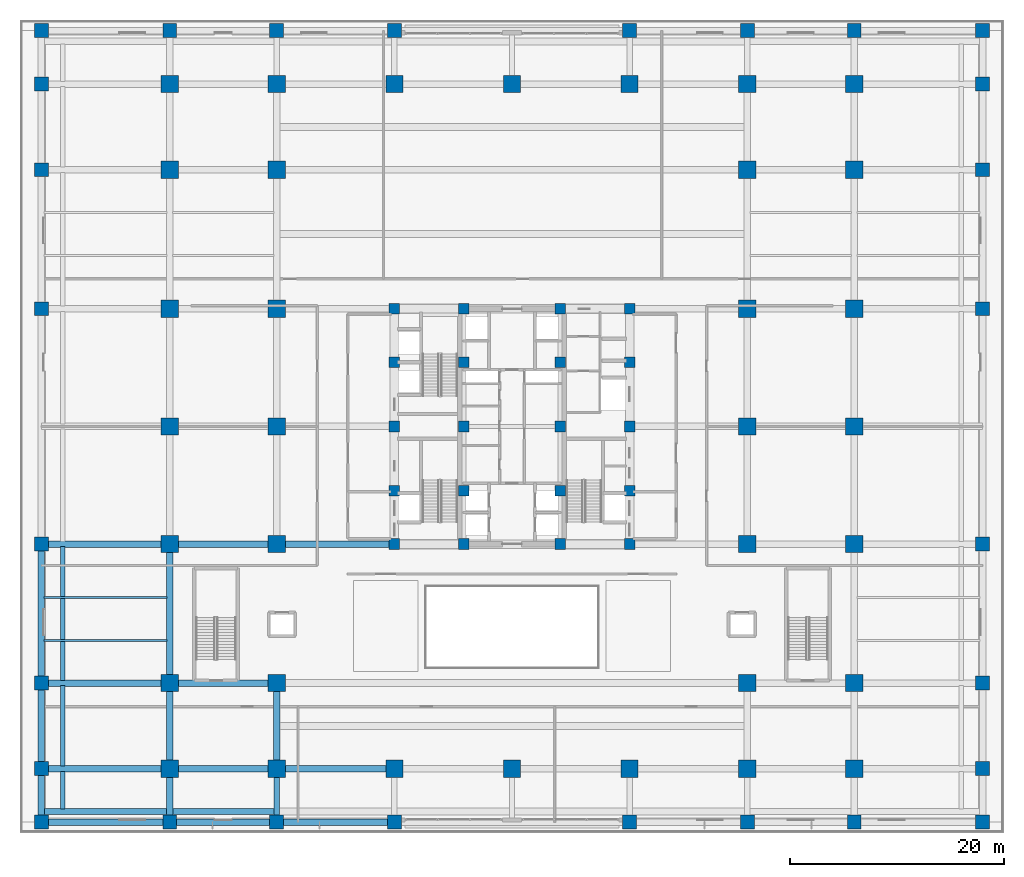
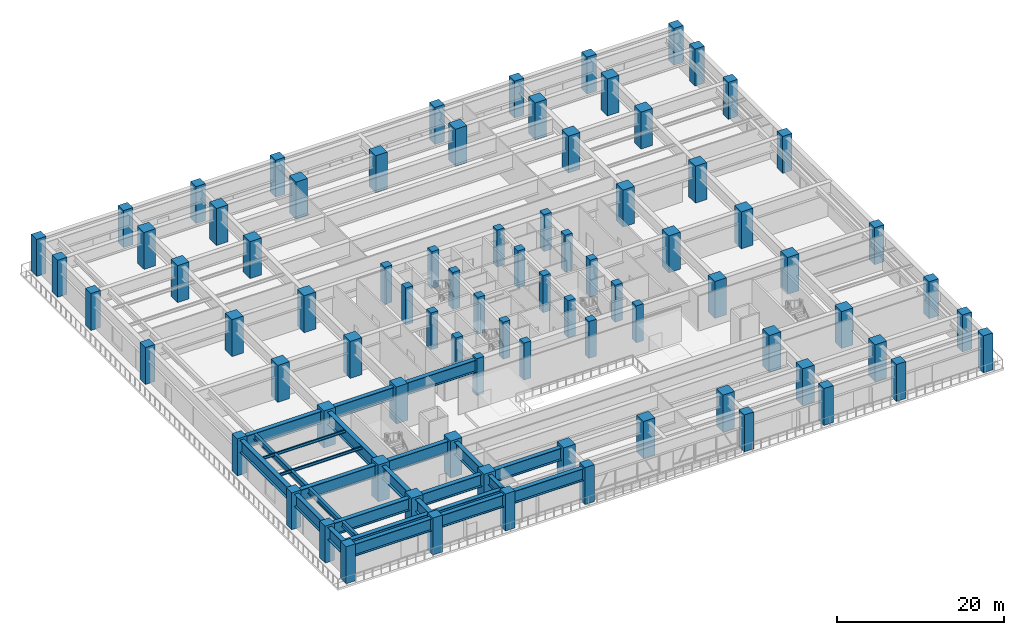
# One storey, part 1 of 28: 82 columns, 26 beams.
"""IFC4 building model written with IfcOpenShell, lengths in metres."""

from ifc_helpers import new_model, si_unit, direction, frame, origin, origin_2d, place, context, subcontext, project, spatial, rectangle, i_section, extrude, source, transform, mapped, material, material_profile, profile_set, type_object, element, save


model = new_model("IFC4")

# Units and contexts
model_context = context("Model", 3, precision=1e-05, world=origin(), true_north=direction((0.0, 1.0)))
body_context = subcontext(model_context, "Body", "Model", "MODEL_VIEW")
ifc_project = project(units=[si_unit("LENGTHUNIT", "METRE"), si_unit("AREAUNIT", "SQUARE_METRE"), si_unit("VOLUMEUNIT", "CUBIC_METRE"), si_unit("PLANEANGLEUNIT", "RADIAN"), si_unit("MASSUNIT", "GRAM", prefix="KILO")], contexts=[model_context])

# Site, building, storey
site_placement = place(None, origin())
site = spatial("IfcSite", under=ifc_project, at=site_placement, CompositionType="ELEMENT")
building_placement = place(site_placement, origin())
building = spatial("IfcBuilding", under=site, at=building_placement, Name="Khorayat Bourse Tower", CompositionType="ELEMENT")
storey_placement = place(building_placement, frame((0.0, 0.0, 6.60009765625)))
storey = spatial("IfcBuildingStorey", under=building, at=storey_placement, Name="L01", CompositionType="ELEMENT", Elevation=6.60009765625)

# Columns
ifc_material_1 = material(Name="Concrete C72/90", Category="concrete")
ifc_material_profile_1 = material_profile(ifc_material_1, rectangle(XDim=1.300048828125, YDim=1.300048828125, at=origin_2d()), Name="RC 1300x1300")
ifc_profile_set_1 = profile_set([ifc_material_profile_1], Name="Concrete C72/90")
column_type_1 = type_object("IfcColumnType", Name="COL-MEGA-1300", PredefinedType="COLUMN", material=ifc_profile_set_1)
shared_shape_1 = source(origin(), body_context, "Body", "SweptSolid", [
    extrude(rectangle(XDim=1.300048828125, YDim=1.300048828125, at=origin_2d()), origin(), (0.0, 0.0, 1.0), 5.39990234375),
])
for number, where, z_axis, x_axis, name in (
    (1, (-44.0, -37.0, 0.0), (0.0, 0.0, 1.0), (1.0, 0.0, 0.0), "L01 Column 001"),
    (2, (-44.0, -24.0, 0.0), (0.0, 0.0, 1.0), (1.0, 0.0, 0.0), "L01 Column 002"),
    (3, (-44.0, -11.0, 0.0), (0.0, 0.0, 1.0), (1.0, 0.0, 0.0), "L01 Column 003"),
    (4, (-44.0, 11.0, 0.0), (0.0, 0.0, 1.0), (1.0, 0.0, 0.0), "L01 Column 004"),
    (5, (-44.0, 24.0, 0.0), (0.0, 0.0, 1.0), (1.0, 0.0, 0.0), "L01 Column 005"),
    (6, (-44.0, 37.0, 0.0), (0.0, 0.0, 1.0), (1.0, 0.0, 0.0), "L01 Column 006"),
    (7, (-32.0, -37.0, 0.0), (0.0, 0.0, 1.0), (1.0, 0.0, 0.0), "L01 Column 007"),
    (8, (-32.0, 37.0, 0.0), (0.0, 0.0, 1.0), (1.0, 0.0, 0.0), "L01 Column 015"),
    (9, (-22.0, -37.0, 0.0), (0.0, 0.0, 1.0), (1.0, 0.0, 0.0), "L01 Column 016"),
    (10, (-22.0, 37.0, 0.0), (0.0, 0.0, 1.0), (1.0, 0.0, 0.0), "L01 Column 024"),
    (11, (-11.0, -37.0, 0.0), (0.0, 0.0, 1.0), (1.0, 0.0, 0.0), "L01 Column 025"),
    (12, (-11.0, 37.0, 0.0), (0.0, 0.0, 1.0), (1.0, 0.0, 0.0), "L01 Column 033"),
    (13, (11.0, -37.0, 0.0), (0.0, 0.0, 1.0), (1.0, 0.0, 0.0), "L01 Column 046"),
    (14, (11.0, 37.0, 0.0), (0.0, 0.0, 1.0), (1.0, 0.0, 0.0), "L01 Column 054"),
    (15, (22.0, -37.0, 0.0), (0.0, 0.0, 1.0), (1.0, 0.0, 0.0), "L01 Column 055"),
    (16, (22.0, 37.0, 0.0), (0.0, 0.0, 1.0), (1.0, 0.0, 0.0), "L01 Column 063"),
    (17, (32.0, -37.0, 0.0), (0.0, 0.0, 1.0), (1.0, 0.0, 0.0), "L01 Column 064"),
    (18, (32.0, 37.0, 0.0), (0.0, 0.0, 1.0), (1.0, 0.0, 0.0), "L01 Column 072"),
    (19, (44.0, -37.0, 0.0), (0.0, 0.0, 1.0), (1.0, 0.0, 0.0), "L01 Column 073"),
    (20, (44.0, -24.0, 0.0), (0.0, 0.0, 1.0), (1.0, 0.0, 0.0), "L01 Column 074"),
    (21, (44.0, -11.0, 0.0), (0.0, 0.0, 1.0), (1.0, 0.0, 0.0), "L01 Column 075"),
    (22, (44.0, 11.0, 0.0), (0.0, 0.0, 1.0), (1.0, 0.0, 0.0), "L01 Column 076"),
    (23, (44.0, 24.0, 0.0), (0.0, 0.0, 1.0), (1.0, 0.0, 0.0), "L01 Column 077"),
    (24, (44.0, 37.0, 0.0), (0.0, 0.0, 1.0), (1.0, 0.0, 0.0), "L01 Column 078"),
    (25, (-44.0, -32.0, 0.0), (0.0, 0.0, 1.0), (1.0, 0.0, 0.0), "L01 Perimeter Step Column 1"),
    (26, (-44.0, 32.0, 0.0), (0.0, 0.0, 1.0), (1.0, 0.0, 0.0), "L01 Perimeter Step Column 2"),
    (27, (44.0, -32.0, 0.0), (0.0, 0.0, 1.0), (1.0, 0.0, 0.0), "L01 Perimeter Step Column 3"),
    (28, (44.0, 32.0, 0.0), (0.0, 0.0, 1.0), (1.0, 0.0, 0.0), "L01 Perimeter Step Column 4"),
):
    element("IfcColumn", number, at=place(storey_placement, frame(where, z_axis=z_axis, x_axis=x_axis)), inside=storey, type_object=column_type_1, Name=name, PredefinedType="COLUMN", context=body_context, shape_type="MappedRepresentation", body=[
        mapped(shared_shape_1, transform((0.0, 0.0, 0.0), scale=1.0)),
    ])
ifc_material_profile_2 = material_profile(ifc_material_1, rectangle(XDim=1.60009765625, YDim=1.60009765625, at=origin_2d()), Name="RC 1600x1600")
ifc_profile_set_2 = profile_set([ifc_material_profile_2], Name="Concrete C72/90")
column_type_2 = type_object("IfcColumnType", Name="COL-MEGA-1600", PredefinedType="COLUMN", material=ifc_profile_set_2)
shared_shape_2 = source(origin(), body_context, "Body", "SweptSolid", [
    extrude(rectangle(XDim=1.60009765625, YDim=1.60009765625, at=origin_2d()), origin(), (0.0, 0.0, 1.0), 5.39990234375),
])
for number, where, z_axis, x_axis, name in (
    (29, (-32.0, -32.0, 0.0), (0.0, 0.0, 1.0), (1.0, 0.0, 0.0), "L01 Column 008"),
    (30, (-32.0, -24.0, 0.0), (0.0, 0.0, 1.0), (1.0, 0.0, 0.0), "L01 Column 009"),
    (31, (-32.0, -11.0, 0.0), (0.0, 0.0, 1.0), (1.0, 0.0, 0.0), "L01 Column 010"),
    (32, (-32.0, 0.0, 0.0), (0.0, 0.0, 1.0), (1.0, 0.0, 0.0), "L01 Column 011"),
    (33, (-32.0, 11.0, 0.0), (0.0, 0.0, 1.0), (1.0, 0.0, 0.0), "L01 Column 012"),
    (34, (-32.0, 24.0, 0.0), (0.0, 0.0, 1.0), (1.0, 0.0, 0.0), "L01 Column 013"),
    (35, (-32.0, 32.0, 0.0), (0.0, 0.0, 1.0), (1.0, 0.0, 0.0), "L01 Column 014"),
    (36, (-22.0, -32.0, 0.0), (0.0, 0.0, 1.0), (1.0, 0.0, 0.0), "L01 Column 017"),
    (37, (-22.0, -24.0, 0.0), (0.0, 0.0, 1.0), (1.0, 0.0, 0.0), "L01 Column 018"),
    (38, (-22.0, -11.0, 0.0), (0.0, 0.0, 1.0), (1.0, 0.0, 0.0), "L01 Column 019"),
    (39, (-22.0, 0.0, 0.0), (0.0, 0.0, 1.0), (1.0, 0.0, 0.0), "L01 Column 020"),
    (40, (-22.0, 11.0, 0.0), (0.0, 0.0, 1.0), (1.0, 0.0, 0.0), "L01 Column 021"),
    (41, (-22.0, 24.0, 0.0), (0.0, 0.0, 1.0), (1.0, 0.0, 0.0), "L01 Column 022"),
    (42, (-22.0, 32.0, 0.0), (0.0, 0.0, 1.0), (1.0, 0.0, 0.0), "L01 Column 023"),
    (43, (-11.0, -32.0, 0.0), (0.0, 0.0, 1.0), (1.0, 0.0, 0.0), "L01 Column 026"),
    (44, (-11.0, 32.0, 0.0), (0.0, 0.0, 1.0), (1.0, 0.0, 0.0), "L01 Column 032"),
    (45, (0.0, -32.0, 0.0), (0.0, 0.0, 1.0), (1.0, 0.0, 0.0), "L01 Column 039"),
    (46, (0.0, 32.0, 0.0), (0.0, 0.0, 1.0), (1.0, 0.0, 0.0), "L01 Column 040"),
    (47, (11.0, -32.0, 0.0), (0.0, 0.0, 1.0), (1.0, 0.0, 0.0), "L01 Column 047"),
    (48, (11.0, 32.0, 0.0), (0.0, 0.0, 1.0), (1.0, 0.0, 0.0), "L01 Column 053"),
    (49, (22.0, -32.0, 0.0), (0.0, 0.0, 1.0), (1.0, 0.0, 0.0), "L01 Column 056"),
    (50, (22.0, -24.0, 0.0), (0.0, 0.0, 1.0), (1.0, 0.0, 0.0), "L01 Column 057"),
    (51, (22.0, -11.0, 0.0), (0.0, 0.0, 1.0), (1.0, 0.0, 0.0), "L01 Column 058"),
    (52, (22.0, 0.0, 0.0), (0.0, 0.0, 1.0), (1.0, 0.0, 0.0), "L01 Column 059"),
    (53, (22.0, 11.0, 0.0), (0.0, 0.0, 1.0), (1.0, 0.0, 0.0), "L01 Column 060"),
    (54, (22.0, 24.0, 0.0), (0.0, 0.0, 1.0), (1.0, 0.0, 0.0), "L01 Column 061"),
    (55, (22.0, 32.0, 0.0), (0.0, 0.0, 1.0), (1.0, 0.0, 0.0), "L01 Column 062"),
    (56, (32.0, -32.0, 0.0), (0.0, 0.0, 1.0), (1.0, 0.0, 0.0), "L01 Column 065"),
    (57, (32.0, -24.0, 0.0), (0.0, 0.0, 1.0), (1.0, 0.0, 0.0), "L01 Column 066"),
    (58, (32.0, -11.0, 0.0), (0.0, 0.0, 1.0), (1.0, 0.0, 0.0), "L01 Column 067"),
    (59, (32.0, 0.0, 0.0), (0.0, 0.0, 1.0), (1.0, 0.0, 0.0), "L01 Column 068"),
    (60, (32.0, 11.0, 0.0), (0.0, 0.0, 1.0), (1.0, 0.0, 0.0), "L01 Column 069"),
    (61, (32.0, 24.0, 0.0), (0.0, 0.0, 1.0), (1.0, 0.0, 0.0), "L01 Column 070"),
    (62, (32.0, 32.0, 0.0), (0.0, 0.0, 1.0), (1.0, 0.0, 0.0), "L01 Column 071"),
):
    element("IfcColumn", number, at=place(storey_placement, frame(where, z_axis=z_axis, x_axis=x_axis)), inside=storey, type_object=column_type_2, Name=name, PredefinedType="COLUMN", context=body_context, shape_type="MappedRepresentation", body=[
        mapped(shared_shape_2, transform((0.0, 0.0, 0.0), scale=1.0)),
    ])
ifc_material_profile_3 = material_profile(ifc_material_1, rectangle(XDim=1.0, YDim=1.0, at=origin_2d()), Name="RC 1000x1000")
ifc_profile_set_3 = profile_set([ifc_material_profile_3], Name="Concrete C72/90")
column_type_3 = type_object("IfcColumnType", Name="COL-CORE-1000", PredefinedType="COLUMN", material=ifc_profile_set_3)
shared_shape_3 = source(origin(), body_context, "Body", "SweptSolid", [
    extrude(rectangle(XDim=1.0, YDim=1.0, at=origin_2d()), origin(), (0.0, 0.0, 1.0), 5.39990234375),
])
for number, where, z_axis, x_axis, name in (
    (63, (-11.0, -11.0, 0.0), (0.0, 0.0, 1.0), (1.0, 0.0, 0.0), "L01 Column 027"),
    (64, (-11.0, -6.0, 0.0), (0.0, 0.0, 1.0), (1.0, 0.0, 0.0), "L01 Column 028"),
    (65, (-11.0, 0.0, 0.0), (0.0, 0.0, 1.0), (1.0, 0.0, 0.0), "L01 Column 029"),
    (66, (-11.0, 6.0, 0.0), (0.0, 0.0, 1.0), (1.0, 0.0, 0.0), "L01 Column 030"),
    (67, (-11.0, 11.0, 0.0), (0.0, 0.0, 1.0), (1.0, 0.0, 0.0), "L01 Column 031"),
    (68, (-4.5, -11.0, 0.0), (0.0, 0.0, 1.0), (1.0, 0.0, 0.0), "L01 Column 034"),
    (69, (-4.5, -6.0, 0.0), (0.0, 0.0, 1.0), (1.0, 0.0, 0.0), "L01 Column 035"),
    (70, (-4.5, 0.0, 0.0), (0.0, 0.0, 1.0), (1.0, 0.0, 0.0), "L01 Column 036"),
    (71, (-4.5, 6.0, 0.0), (0.0, 0.0, 1.0), (1.0, 0.0, 0.0), "L01 Column 037"),
    (72, (-4.5, 11.0, 0.0), (0.0, 0.0, 1.0), (1.0, 0.0, 0.0), "L01 Column 038"),
    (73, (4.5, -11.0, 0.0), (0.0, 0.0, 1.0), (1.0, 0.0, 0.0), "L01 Column 041"),
    (74, (4.5, -6.0, 0.0), (0.0, 0.0, 1.0), (1.0, 0.0, 0.0), "L01 Column 042"),
    (75, (4.5, 0.0, 0.0), (0.0, 0.0, 1.0), (1.0, 0.0, 0.0), "L01 Column 043"),
    (76, (4.5, 6.0, 0.0), (0.0, 0.0, 1.0), (1.0, 0.0, 0.0), "L01 Column 044"),
    (77, (4.5, 11.0, 0.0), (0.0, 0.0, 1.0), (1.0, 0.0, 0.0), "L01 Column 045"),
    (78, (11.0, -11.0, 0.0), (0.0, 0.0, 1.0), (1.0, 0.0, 0.0), "L01 Column 048"),
    (79, (11.0, -6.0, 0.0), (0.0, 0.0, 1.0), (1.0, 0.0, 0.0), "L01 Column 049"),
    (80, (11.0, 0.0, 0.0), (0.0, 0.0, 1.0), (1.0, 0.0, 0.0), "L01 Column 050"),
    (81, (11.0, 6.0, 0.0), (0.0, 0.0, 1.0), (1.0, 0.0, 0.0), "L01 Column 051"),
    (82, (11.0, 11.0, 0.0), (0.0, 0.0, 1.0), (1.0, 0.0, 0.0), "L01 Column 052"),
):
    element("IfcColumn", number, at=place(storey_placement, frame(where, z_axis=z_axis, x_axis=x_axis)), inside=storey, type_object=column_type_3, Name=name, PredefinedType="COLUMN", context=body_context, shape_type="MappedRepresentation", body=[
        mapped(shared_shape_3, transform((0.0, 0.0, 0.0), scale=1.0)),
    ])

# Beams
ifc_material_2 = material(Name="Steel EN 10025-4 S460M", Category="steel")
ifc_material_profile_4 = material_profile(ifc_material_2, i_section(OverallWidth=0.60009765625, OverallDepth=1.800048828125, WebThickness=0.031982421875, FlangeThickness=0.06005859375, at=origin_2d()), Name="PG 1800x600x32x60")
ifc_profile_set_4 = profile_set([ifc_material_profile_4], Name="Steel EN 10025-4 S460M")
beam_type_1 = type_object("IfcBeamType", Name="BM-TR-1800", PredefinedType="BEAM", material=ifc_profile_set_4)
shared_shape_4 = source(origin(), body_context, "Body", "SweptSolid", [
    extrude(i_section(OverallWidth=0.60009765625, OverallDepth=1.800048828125, WebThickness=0.031982421875, FlangeThickness=0.06005859375, at=origin_2d()), origin(), (0.0, 0.0, 1.0), 10.0),
])
for number, where, z_axis, x_axis, name in (
    (83, (-32.0, -37.0, 4.179931640625), (1.0, 0.0, 0.0), (0.0, 1.0, 0.0), "L01 BM-TR-1800 BM-L01-PGX-025"),
    (84, (-32.0, -36.0, 4.179931640625), (1.0, 0.0, 0.0), (0.0, 1.0, 0.0), "L01 BM-TR-1800 BM-L01-PGX-032"),
    (85, (-32.0, -32.0, 4.179931640625), (1.0, 0.0, 0.0), (0.0, 1.0, 0.0), "L01 BM-TR-1800 BM-L01-PGX-037"),
    (86, (-32.0, -24.0, 4.179931640625), (1.0, 0.0, 0.0), (0.0, 1.0, 0.0), "L01 BM-TR-1800 BM-L01-PGX-045"),
    (87, (-32.0, -11.0, 4.179931640625), (1.0, 0.0, 0.0), (0.0, 1.0, 0.0), "L01 BM-TR-1800 BM-L01-PGX-050"),
):
    element("IfcBeam", number, at=place(storey_placement, frame(where, z_axis=z_axis, x_axis=x_axis)), inside=storey, type_object=beam_type_1, Name=name, PredefinedType="BEAM", context=body_context, shape_type="MappedRepresentation", body=[
        mapped(shared_shape_4, transform((0.0, 0.0, 0.0), scale=1.0)),
    ])
shared_shape_5 = source(origin(), body_context, "Body", "SweptSolid", [
    extrude(i_section(OverallWidth=0.60009765625, OverallDepth=1.800048828125, WebThickness=0.031982421875, FlangeThickness=0.06005859375, at=origin_2d()), origin(), (0.0, 0.0, 1.0), 11.0),
])
for number, where, z_axis, x_axis, name in (
    (88, (-22.0, -37.0, 4.179931640625), (1.0, 0.0, 0.0), (0.0, 1.0, 0.0), "L01 BM-TR-1800 BM-L01-PGX-026"),
    (89, (-22.0, -32.0, 4.179931640625), (1.0, 0.0, 0.0), (0.0, 1.0, 0.0), "L01 BM-TR-1800 BM-L01-PGX-038"),
    (90, (-22.0, -11.0, 4.179931640625), (1.0, 0.0, 0.0), (0.0, 1.0, 0.0), "L01 BM-TR-1800 BM-L01-PGX-051"),
):
    element("IfcBeam", number, at=place(storey_placement, frame(where, z_axis=z_axis, x_axis=x_axis)), inside=storey, type_object=beam_type_1, Name=name, PredefinedType="BEAM", context=body_context, shape_type="MappedRepresentation", body=[
        mapped(shared_shape_5, transform((0.0, 0.0, 0.0), scale=1.0)),
    ])
shared_shape_6 = source(origin(), body_context, "Body", "SweptSolid", [
    extrude(i_section(OverallWidth=0.60009765625, OverallDepth=1.800048828125, WebThickness=0.031982421875, FlangeThickness=0.06005859375, at=origin_2d()), origin(), (0.0, 0.0, 1.0), 8.0),
])
for number, where, z_axis, x_axis, name in (
    (91, (-44.0, -32.0, 4.179931640625), (0.0, 1.0, 0.0), (-1.0, 0.0, 0.0), "L01 BM-TR-1800 BM-L01-PGY-099"),
    (92, (-32.0, -32.0, 4.179931640625), (0.0, 1.0, 0.0), (-1.0, 0.0, 0.0), "L01 BM-TR-1800 BM-L01-PGY-114"),
    (93, (-22.0, -32.0, 4.179931640625), (0.0, 1.0, 0.0), (-1.0, 0.0, 0.0), "L01 BM-TR-1800 BM-L01-PGY-122"),
):
    element("IfcBeam", number, at=place(storey_placement, frame(where, z_axis=z_axis, x_axis=x_axis)), inside=storey, type_object=beam_type_1, Name=name, PredefinedType="BEAM", context=body_context, shape_type="MappedRepresentation", body=[
        mapped(shared_shape_6, transform((0.0, 0.0, 0.0), scale=1.0)),
    ])
shared_shape_7 = source(origin(), body_context, "Body", "SweptSolid", [
    extrude(i_section(OverallWidth=0.60009765625, OverallDepth=1.800048828125, WebThickness=0.031982421875, FlangeThickness=0.06005859375, at=origin_2d()), origin(), (0.0, 0.0, 1.0), 13.0),
])
for number, where, z_axis, x_axis, name in (
    (94, (-44.0, -24.0, 4.179931640625), (0.0, 1.0, 0.0), (-1.0, 0.0, 0.0), "L01 BM-TR-1800 BM-L01-PGY-100"),
    (95, (-32.0, -24.0, 4.179931640625), (0.0, 1.0, 0.0), (-1.0, 0.0, 0.0), "L01 BM-TR-1800 BM-L01-PGY-115"),
):
    element("IfcBeam", number, at=place(storey_placement, frame(where, z_axis=z_axis, x_axis=x_axis)), inside=storey, type_object=beam_type_1, Name=name, PredefinedType="BEAM", context=body_context, shape_type="MappedRepresentation", body=[
        mapped(shared_shape_7, transform((0.0, 0.0, 0.0), scale=1.0)),
    ])
ifc_material_3 = material(Name="Steel ASTM A992 Grade 50", Category="steel")
ifc_material_profile_5 = material_profile(ifc_material_3, i_section(OverallWidth=0.39990234375, OverallDepth=0.85498046875, WebThickness=0.018310546875, FlangeThickness=0.029296875, FilletRadius=0.02001953125, at=origin_2d()), Name="W840X299")
ifc_profile_set_5 = profile_set([ifc_material_profile_5], Name="Steel ASTM A992 Grade 50")
beam_type_2 = type_object("IfcBeamType", Name="BM-GIRD-840", PredefinedType="BEAM", material=ifc_profile_set_5)
shared_shape_8 = source(origin(), body_context, "Body", "SweptSolid", [
    extrude(i_section(OverallWidth=0.39990234375, OverallDepth=0.85498046875, WebThickness=0.018310546875, FlangeThickness=0.029296875, FilletRadius=0.02001953125, at=origin_2d()), origin(), (0.0, 0.0, 1.0), 7.52001953125),
])
beam_1_placement = place(storey_placement, frame((-42.0, -31.760009765625, 4.65234375), z_axis=(0.0, 1.0, 0.0), x_axis=(-1.0, 0.0, 0.0)))
element("IfcBeam", 96, at=beam_1_placement, inside=storey, type_object=beam_type_2, Name="L01 BM-GIRD-840 BM-L01-PGY-106", PredefinedType="BEAM", context=body_context, shape_type="MappedRepresentation", body=[
    mapped(shared_shape_8, transform((0.0, 0.0, 0.0), scale=1.0)),
])
shared_shape_9 = source(origin(), body_context, "Body", "SweptSolid", [
    extrude(i_section(OverallWidth=0.39990234375, OverallDepth=0.85498046875, WebThickness=0.018310546875, FlangeThickness=0.029296875, FilletRadius=0.02001953125, at=origin_2d()), origin(), (0.0, 0.0, 1.0), 12.52001953125),
])
beam_2_placement = place(storey_placement, frame((-42.0, -23.760009765625, 4.65234375), z_axis=(0.0, 1.0, 0.0), x_axis=(-1.0, 0.0, 0.0)))
element("IfcBeam", 97, at=beam_2_placement, inside=storey, type_object=beam_type_2, Name="L01 BM-GIRD-840 BM-L01-PGY-107", PredefinedType="BEAM", context=body_context, shape_type="MappedRepresentation", body=[
    mapped(shared_shape_9, transform((0.0, 0.0, 0.0), scale=1.0)),
])
shared_shape_10 = source(origin(), body_context, "Body", "SweptSolid", [
    extrude(i_section(OverallWidth=0.60009765625, OverallDepth=1.800048828125, WebThickness=0.031982421875, FlangeThickness=0.06005859375, at=origin_2d()), origin(), (0.0, 0.0, 1.0), 12.0),
])
for number, where, z_axis, x_axis, name in (
    (98, (-44.0, -37.0, 4.179931640625), (1.0, 0.0, 0.0), (0.0, 1.0, 0.0), "L01 BM-TR-1800 BM-L01-PGX-024"),
    (99, (-44.0, -36.0, 4.179931640625), (1.0, 0.0, 0.0), (0.0, 1.0, 0.0), "L01 BM-TR-1800 BM-L01-PGX-031"),
    (100, (-44.0, -32.0, 4.179931640625), (1.0, 0.0, 0.0), (0.0, 1.0, 0.0), "L01 BM-TR-1800 BM-L01-PGX-036"),
    (101, (-44.0, -24.0, 4.179931640625), (1.0, 0.0, 0.0), (0.0, 1.0, 0.0), "L01 BM-TR-1800 BM-L01-PGX-044"),
    (102, (-44.0, -11.0, 4.179931640625), (1.0, 0.0, 0.0), (0.0, 1.0, 0.0), "L01 BM-TR-1800 BM-L01-PGX-049"),
):
    element("IfcBeam", number, at=place(storey_placement, frame(where, z_axis=z_axis, x_axis=x_axis)), inside=storey, type_object=beam_type_1, Name=name, PredefinedType="BEAM", context=body_context, shape_type="MappedRepresentation", body=[
        mapped(shared_shape_10, transform((0.0, 0.0, 0.0), scale=1.0)),
    ])
shared_shape_11 = source(origin(), body_context, "Body", "SweptSolid", [
    extrude(i_section(OverallWidth=0.60009765625, OverallDepth=1.800048828125, WebThickness=0.031982421875, FlangeThickness=0.06005859375, at=origin_2d()), origin(), (0.0, 0.0, 1.0), 5.0),
])
for number, where, z_axis, x_axis, name in (
    (103, (-44.0, -37.0, 4.179931640625), (0.0, 1.0, 0.0), (-1.0, 0.0, 0.0), "L01 BM-TR-1800 BM-L01-PGY-098"),
    (104, (-32.0, -37.0, 4.179931640625), (0.0, 1.0, 0.0), (-1.0, 0.0, 0.0), "L01 BM-TR-1800 BM-L01-PGY-113"),
):
    element("IfcBeam", number, at=place(storey_placement, frame(where, z_axis=z_axis, x_axis=x_axis)), inside=storey, type_object=beam_type_1, Name=name, PredefinedType="BEAM", context=body_context, shape_type="MappedRepresentation", body=[
        mapped(shared_shape_11, transform((0.0, 0.0, 0.0), scale=1.0)),
    ])
shared_shape_12 = source(origin(), body_context, "Body", "SweptSolid", [
    extrude(i_section(OverallWidth=0.39990234375, OverallDepth=0.85498046875, WebThickness=0.018310546875, FlangeThickness=0.029296875, FilletRadius=0.02001953125, at=origin_2d()), origin(), (0.0, 0.0, 1.0), 3.52001953125),
])
beam_3_placement = place(storey_placement, frame((-42.0, -35.760009765625, 4.65234375), z_axis=(0.0, 1.0, 0.0), x_axis=(-1.0, 0.0, 0.0)))
element("IfcBeam", 105, at=beam_3_placement, inside=storey, type_object=beam_type_2, Name="L01 BM-GIRD-840 BM-L01-PGY-105", PredefinedType="BEAM", context=body_context, shape_type="MappedRepresentation", body=[
    mapped(shared_shape_12, transform((0.0, 0.0, 0.0), scale=1.0)),
])
ifc_material_profile_6 = material_profile(ifc_material_2, i_section(OverallWidth=0.5, OverallDepth=1.39990234375, WebThickness=0.02490234375, FlangeThickness=0.050048828125, at=origin_2d()), Name="PG 1400x500x25x50")
ifc_profile_set_6 = profile_set([ifc_material_profile_6], Name="Steel EN 10025-4 S460M")
beam_type_3 = type_object("IfcBeamType", Name="BM-TR-1400", PredefinedType="BEAM", material=ifc_profile_set_6)
shared_shape_13 = source(origin(), body_context, "Body", "SweptSolid", [
    extrude(i_section(OverallWidth=0.5, OverallDepth=1.39990234375, WebThickness=0.02490234375, FlangeThickness=0.050048828125, at=origin_2d()), origin(), (0.0, 0.0, 1.0), 5.0),
])
beam_4_placement = place(storey_placement, frame((-22.0, -37.0, 4.3798828125), z_axis=(0.0, 1.0, 0.0), x_axis=(-1.0, 0.0, 0.0)))
element("IfcBeam", 106, at=beam_4_placement, inside=storey, type_object=beam_type_3, Name="L01 BM-TR-1400 BM-L01-PGY-121", PredefinedType="BEAM", context=body_context, shape_type="MappedRepresentation", body=[
    mapped(shared_shape_13, transform((0.0, 0.0, 0.0), scale=1.0)),
])
ifc_material_profile_7 = material_profile(ifc_material_3, i_section(OverallWidth=0.180908203125, OverallDepth=0.4169921875, WebThickness=0.010986328125, FlangeThickness=0.018310546875, FilletRadius=0.011962890625, at=origin_2d()), Name="W410X85")
ifc_profile_set_7 = profile_set([ifc_material_profile_7], Name="Steel ASTM A992 Grade 50")
beam_type_4 = type_object("IfcBeamType", Name="BM-JOIST-410", PredefinedType="JOIST", material=ifc_profile_set_7)
shared_shape_14 = source(origin(), body_context, "Body", "SweptSolid", [
    extrude(i_section(OverallWidth=0.180908203125, OverallDepth=0.4169921875, WebThickness=0.010986328125, FlangeThickness=0.018310546875, FilletRadius=0.011962890625, at=origin_2d()), origin(), (0.0, 0.0, 1.0), 11.52001953125),
])
for number, where, z_axis, x_axis, name in (
    (107, (-43.760009765625, -20.0, 4.871337890625), (1.0, 0.0, 0.0), (0.0, 1.0, 0.0), "L01 BM-JOIST-410 BM-L01-PJ-170"),
    (108, (-43.760009765625, -16.0, 4.871337890625), (1.0, 0.0, 0.0), (0.0, 1.0, 0.0), "L01 BM-JOIST-410 BM-L01-PJ-172"),
):
    element("IfcBeam", number, at=place(storey_placement, frame(where, z_axis=z_axis, x_axis=x_axis)), inside=storey, type_object=beam_type_4, Name=name, PredefinedType="JOIST", context=body_context, shape_type="MappedRepresentation", body=[
        mapped(shared_shape_14, transform((0.0, 0.0, 0.0), scale=1.0)),
    ])

save(model, "model.ifc")
